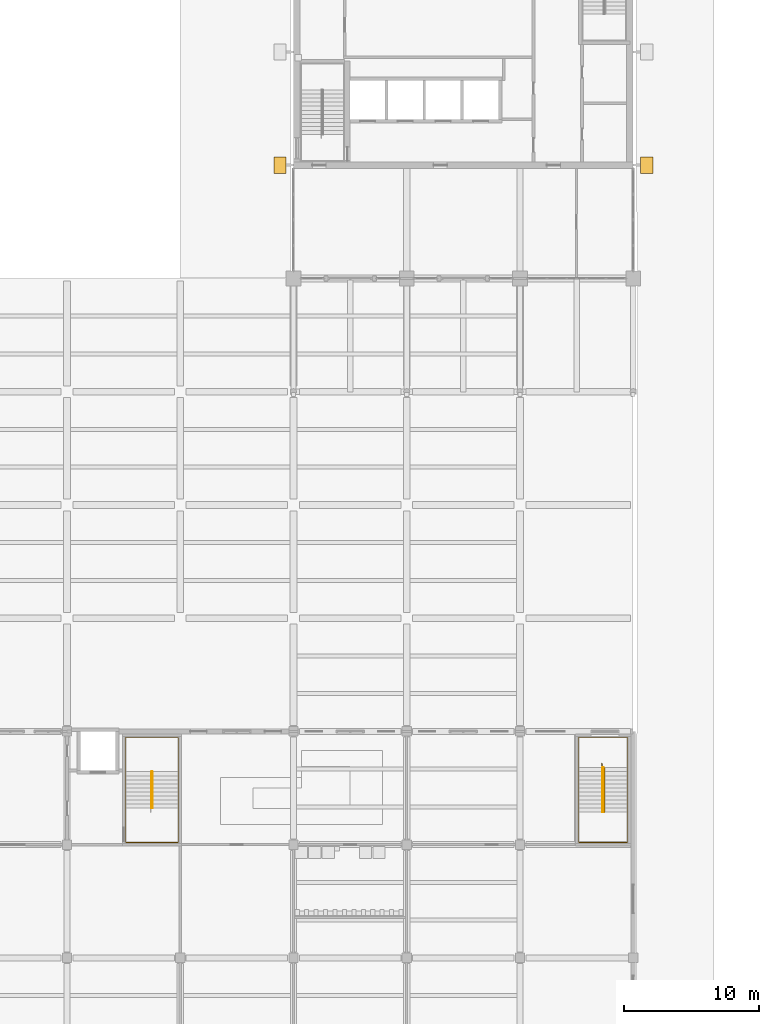
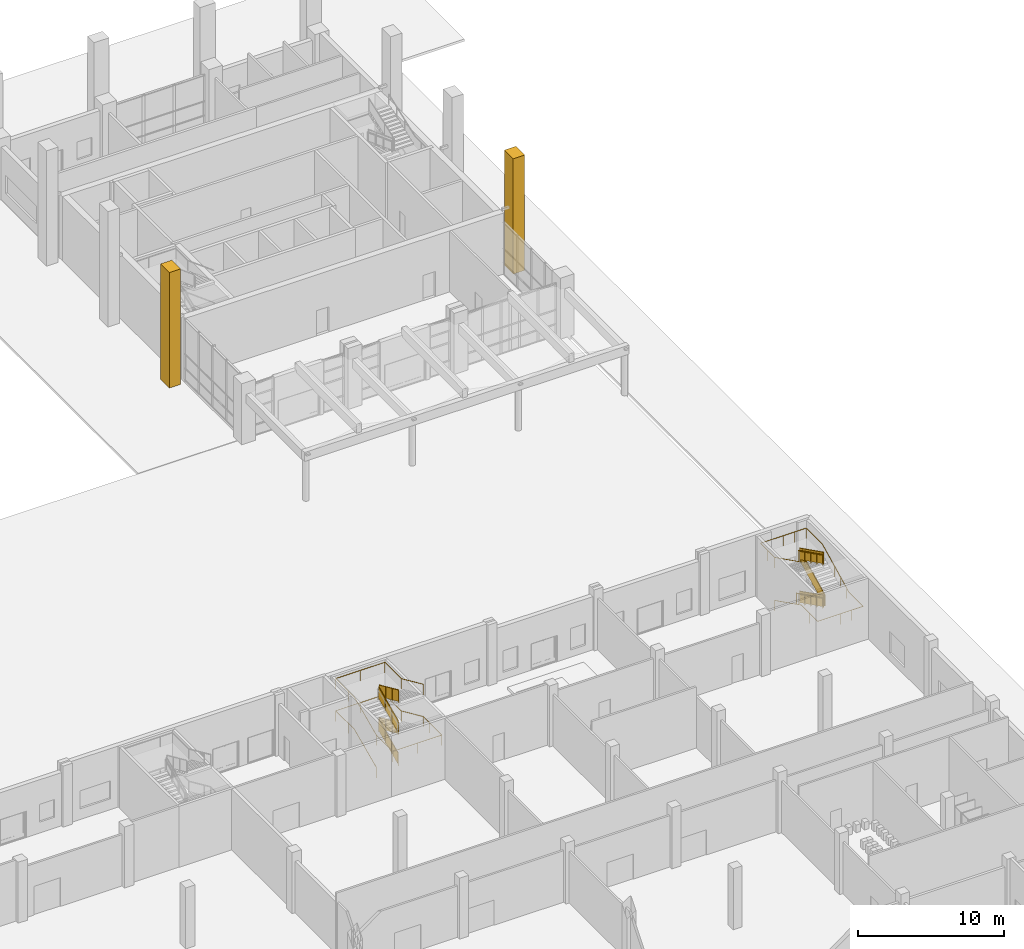
# One storey, part 67 of 74: 10 railings, 2 coverings.
"""IFC4 building model written with IfcOpenShell, lengths in metres."""

from ifc_helpers import new_model, si_unit, direction, frame, origin, origin_2d, place, context, subcontext, project, spatial, polyline, rectangle, circle, outline, extrude, material, type_object, element, save


model = new_model("IFC4")

# Units and contexts
model_context = context("Model", 3, precision=1e-05, world=origin(), true_north=direction((0.0, 1.0)))
body_context = subcontext(model_context, "Body", "Model", "MODEL_VIEW")
ifc_project = project(units=[si_unit("LENGTHUNIT", "METRE"), si_unit("AREAUNIT", "SQUARE_METRE"), si_unit("VOLUMEUNIT", "CUBIC_METRE"), si_unit("PLANEANGLEUNIT", "RADIAN"), si_unit("MASSUNIT", "GRAM", prefix="KILO")], contexts=[model_context])

# Site, building, storey
site_placement = place(None, origin())
site = spatial("IfcSite", under=ifc_project, at=site_placement, CompositionType="ELEMENT")
building_placement = place(site_placement, origin())
building = spatial("IfcBuilding", under=site, at=building_placement, Name="Rulbaag Community and Learning Centre", CompositionType="ELEMENT")
storey_placement = place(building_placement, origin())
storey = spatial("IfcBuildingStorey", under=building, at=storey_placement, Name="L00", CompositionType="ELEMENT", Elevation=0.0)

# Railings
ifc_material_1 = material(Name="Galvanised mild steel", Category="steel")
railing_type_1 = type_object("IfcRailingType", Name="GR-1100 GUARD 1100", PredefinedType="GUARDRAIL", material=ifc_material_1)
railing_1_placement = place(storey_placement, frame((132.280029296875, 44.71240234375, 0.135009765625)))
element("IfcRailing", 1, at=railing_1_placement, inside=storey, type_object=railing_type_1, Name="Guard SH3 L00 G", PredefinedType="GUARDRAIL", context=body_context, shape_type="SweptSolid", body=[
    extrude(circle(Radius=0.02490234375, at=origin_2d()), frame((0.0, 0.0, 1.0751953125), z_axis=(0.0, 0.911921505175, 0.410364677329), x_axis=(-1.0, 0.0, 0.0)), (0.0, 0.0, 1.0), 2.9609375),
    extrude(circle(Radius=0.02001953125, at=origin_2d()), origin(), (0.0, 0.0, 1.0), 1.050048828125),
    extrude(circle(Radius=0.02001953125, at=origin_2d()), frame((0.0, 0.900146484375, 0.405029296875)), (0.0, 0.0, 1.0), 1.050048828125),
    extrude(circle(Radius=0.02001953125, at=origin_2d()), frame((0.0, 1.800048828125, 0.81005859375)), (0.0, 0.0, 1.0), 1.050048828125),
    extrude(circle(Radius=0.02001953125, at=origin_2d()), frame((0.0, 2.7001953125, 1.215087890625)), (0.0, 0.0, 1.0), 1.050048828125),
    extrude(outline(polyline([(0.0, 0.0), (2.7001953125, 1.215087890625), (2.7001953125, 2.1650390625), (0.0, 0.949951171875), (0.0, 0.0)])), frame((-0.0048828125, 0.0, 0.10009765625), z_axis=(1.0, 0.0, 0.0), x_axis=(0.0, 1.0, 0.0)), (0.0, 0.0, 1.0), 0.010009765625),
])
railing_2_placement = place(storey_placement, frame((132.320068359375, 47.41259765625, 1.485107421875)))
element("IfcRailing", 2, at=railing_2_placement, inside=storey, type_object=railing_type_1, Name="Guard SH3 L00 G2", PredefinedType="GUARDRAIL", context=body_context, shape_type="SweptSolid", body=[
    extrude(circle(Radius=0.02490234375, at=origin_2d()), frame((0.0, 0.0, 1.0751953125), z_axis=(0.0, -0.91195235894, 0.410296106518), x_axis=(1.0, 0.0, 0.0)), (0.0, 0.0, 1.0), 2.9609375),
    extrude(circle(Radius=0.02001953125, at=origin_2d()), origin(), (0.0, 0.0, 1.0), 1.050048828125),
    extrude(circle(Radius=0.02001953125, at=origin_2d()), frame((0.0, -0.900146484375, 0.405029296875)), (0.0, 0.0, 1.0), 1.050048828125),
    extrude(circle(Radius=0.02001953125, at=origin_2d()), frame((0.0, -1.800048828125, 0.809814453125)), (0.0, 0.0, 1.0), 1.050048828125),
    extrude(circle(Radius=0.02001953125, at=origin_2d()), frame((0.0, -2.7001953125, 1.21484375)), (0.0, 0.0, 1.0), 1.050048828125),
    extrude(outline(polyline([(0.0, 0.0), (2.7001953125, 1.21484375), (2.7001953125, 2.164794921875), (0.0, 0.949951171875), (0.0, 0.0)])), frame((0.0048828125, 0.0, 0.10009765625), z_axis=(-1.0, 0.0, 0.0), x_axis=(0.0, -1.0, 0.0)), (0.0, 0.0, 1.0), 0.010009765625),
])
railing_3_placement = place(storey_placement, frame((132.280029296875, 44.71240234375, 2.8349609375)))
element("IfcRailing", 3, at=railing_3_placement, inside=storey, type_object=railing_type_1, Name="Guard SH3 L00 G3", PredefinedType="GUARDRAIL", context=body_context, shape_type="SweptSolid", body=[
    extrude(circle(Radius=0.02490234375, at=origin_2d()), frame((0.0, 0.0, 1.0751953125), z_axis=(0.0, 0.911921505175, 0.410364677329), x_axis=(-1.0, 0.0, 0.0)), (0.0, 0.0, 1.0), 2.9609375),
    extrude(circle(Radius=0.02001953125, at=origin_2d()), origin(), (0.0, 0.0, 1.0), 1.050048828125),
    extrude(circle(Radius=0.02001953125, at=origin_2d()), frame((0.0, 0.900146484375, 0.405029296875)), (0.0, 0.0, 1.0), 1.050048828125),
    extrude(circle(Radius=0.02001953125, at=origin_2d()), frame((0.0, 1.800048828125, 0.81005859375)), (0.0, 0.0, 1.0), 1.050048828125),
    extrude(circle(Radius=0.02001953125, at=origin_2d()), frame((0.0, 2.7001953125, 1.215087890625)), (0.0, 0.0, 1.0), 1.050048828125),
    extrude(outline(polyline([(0.0, 0.0), (2.7001953125, 1.215087890625), (2.7001953125, 2.1650390625), (0.0, 0.949951171875), (0.0, 0.0)])), frame((-0.0048828125, 0.0, 0.10009765625), z_axis=(1.0, 0.0, 0.0), x_axis=(0.0, 1.0, 0.0)), (0.0, 0.0, 1.0), 0.010009765625),
])
railing_4_placement = place(storey_placement, frame((132.320068359375, 47.41259765625, 4.18505859375)))
element("IfcRailing", 4, at=railing_4_placement, inside=storey, type_object=railing_type_1, Name="Guard SH3 L00 G4", PredefinedType="GUARDRAIL", context=body_context, shape_type="SweptSolid", body=[
    extrude(circle(Radius=0.02490234375, at=origin_2d()), frame((0.0, 0.0, 1.0751953125), z_axis=(0.0, -0.91195235894, 0.410296106518), x_axis=(1.0, 0.0, 0.0)), (0.0, 0.0, 1.0), 2.9609375),
    extrude(circle(Radius=0.02001953125, at=origin_2d()), origin(), (0.0, 0.0, 1.0), 1.050048828125),
    extrude(circle(Radius=0.02001953125, at=origin_2d()), frame((0.0, -0.900146484375, 0.405029296875)), (0.0, 0.0, 1.0), 1.050048828125),
    extrude(circle(Radius=0.02001953125, at=origin_2d()), frame((0.0, -1.800048828125, 0.809814453125)), (0.0, 0.0, 1.0), 1.050048828125),
    extrude(circle(Radius=0.02001953125, at=origin_2d()), frame((0.0, -2.7001953125, 1.21484375)), (0.0, 0.0, 1.0), 1.050048828125),
    extrude(outline(polyline([(0.0, 0.0), (2.7001953125, 1.21484375), (2.7001953125, 2.164794921875), (0.0, 0.949951171875), (0.0, 0.0)])), frame((0.0048828125, 0.0, 0.10009765625), z_axis=(-1.0, 0.0, 0.0), x_axis=(0.0, -1.0, 0.0)), (0.0, 0.0, 1.0), 0.010009765625),
])
railing_5_placement = place(storey_placement, frame((165.742431640625, 47.71240234375, 0.14990234375)))
element("IfcRailing", 5, at=railing_5_placement, inside=storey, type_object=railing_type_1, Name="Guard SH4 L00 G", PredefinedType="GUARDRAIL", context=body_context, shape_type="SweptSolid", body=[
    extrude(circle(Radius=0.02490234375, at=origin_2d()), frame((0.0, 0.0, 1.0751953125), z_axis=(0.0, -0.894400720042, 0.447266533499), x_axis=(1.0, 0.0, 0.0)), (0.0, 0.0, 1.0), 3.689453125),
    extrude(circle(Radius=0.02001953125, at=origin_2d()), origin(), (0.0, 0.0, 1.0), 1.050048828125),
    extrude(circle(Radius=0.02001953125, at=origin_2d()), frame((0.0, -0.824951171875, 0.41259765625)), (0.0, 0.0, 1.0), 1.050048828125),
    extrude(circle(Radius=0.02001953125, at=origin_2d()), frame((0.0, -1.64990234375, 0.8251953125)), (0.0, 0.0, 1.0), 1.050048828125),
    extrude(circle(Radius=0.02001953125, at=origin_2d()), frame((0.0, -2.474853515625, 1.237548828125)), (0.0, 0.0, 1.0), 1.050048828125),
    extrude(circle(Radius=0.02001953125, at=origin_2d()), frame((0.0, -3.2998046875, 1.650146484375)), (0.0, 0.0, 1.0), 1.050048828125),
    extrude(outline(polyline([(0.0, 0.0), (3.2998046875, 1.650146484375), (3.2998046875, 2.60009765625), (0.0, 0.949951171875), (0.0, 0.0)])), frame((0.0048828125, 0.0, 0.10009765625), z_axis=(-1.0, 0.0, 0.0), x_axis=(0.0, -1.0, 0.0)), (0.0, 0.0, 1.0), 0.010009765625),
])
railing_6_placement = place(storey_placement, frame((165.782470703125, 44.41259765625, 1.949951171875)))
element("IfcRailing", 6, at=railing_6_placement, inside=storey, type_object=railing_type_1, Name="Guard SH4 L00 G2", PredefinedType="GUARDRAIL", context=body_context, shape_type="SweptSolid", body=[
    extrude(circle(Radius=0.02490234375, at=origin_2d()), frame((0.0, 0.0, 1.0751953125), z_axis=(0.0, 0.894400720042, 0.447266533499), x_axis=(-1.0, 0.0, 0.0)), (0.0, 0.0, 1.0), 3.689453125),
    extrude(circle(Radius=0.02001953125, at=origin_2d()), origin(), (0.0, 0.0, 1.0), 1.050048828125),
    extrude(circle(Radius=0.02001953125, at=origin_2d()), frame((0.0, 0.824951171875, 0.41259765625)), (0.0, 0.0, 1.0), 1.050048828125),
    extrude(circle(Radius=0.02001953125, at=origin_2d()), frame((0.0, 1.64990234375, 0.8251953125)), (0.0, 0.0, 1.0), 1.050048828125),
    extrude(circle(Radius=0.02001953125, at=origin_2d()), frame((0.0, 2.474853515625, 1.237548828125)), (0.0, 0.0, 1.0), 1.050048828125),
    extrude(circle(Radius=0.02001953125, at=origin_2d()), frame((0.0, 3.2998046875, 1.650146484375)), (0.0, 0.0, 1.0), 1.050048828125),
    extrude(outline(polyline([(0.0, 0.0), (3.2998046875, 1.650146484375), (3.2998046875, 2.60009765625), (0.0, 0.949951171875), (0.0, 0.0)])), frame((-0.0048828125, 0.0, 0.10009765625), z_axis=(1.0, 0.0, 0.0), x_axis=(0.0, 1.0, 0.0)), (0.0, 0.0, 1.0), 0.010009765625),
])
railing_7_placement = place(storey_placement, frame((165.742431640625, 47.71240234375, 3.75)))
element("IfcRailing", 7, at=railing_7_placement, inside=storey, type_object=railing_type_1, Name="Guard SH4 L00 G3", PredefinedType="GUARDRAIL", context=body_context, shape_type="SweptSolid", body=[
    extrude(circle(Radius=0.02490234375, at=origin_2d()), frame((0.0, 0.0, 1.0751953125), z_axis=(0.0, -0.894427191, 0.4472135955), x_axis=(1.0, 0.0, 0.0)), (0.0, 0.0, 1.0), 3.689208984375),
    extrude(circle(Radius=0.02001953125, at=origin_2d()), origin(), (0.0, 0.0, 1.0), 1.050048828125),
    extrude(circle(Radius=0.02001953125, at=origin_2d()), frame((0.0, -0.824951171875, 0.41259765625)), (0.0, 0.0, 1.0), 1.050048828125),
    extrude(circle(Radius=0.02001953125, at=origin_2d()), frame((0.0, -1.64990234375, 0.824951171875)), (0.0, 0.0, 1.0), 1.050048828125),
    extrude(circle(Radius=0.02001953125, at=origin_2d()), frame((0.0, -2.474853515625, 1.2373046875)), (0.0, 0.0, 1.0), 1.050048828125),
    extrude(circle(Radius=0.02001953125, at=origin_2d()), frame((0.0, -3.2998046875, 1.64990234375)), (0.0, 0.0, 1.0), 1.050048828125),
    extrude(outline(polyline([(0.0, 0.0), (3.2998046875, 1.64990234375), (3.2998046875, 2.599853515625), (0.0, 0.949951171875), (0.0, 0.0)])), frame((0.0048828125, 0.0, 0.10009765625), z_axis=(-1.0, 0.0, 0.0), x_axis=(0.0, -1.0, 0.0)), (0.0, 0.0, 1.0), 0.010009765625),
])
ifc_material_2 = material(Name="Stainless steel grade 316", Category="steel")
railing_type_2 = type_object("IfcRailingType", Name="HR-900 HANDRAIL 900", PredefinedType="HANDRAIL", material=ifc_material_2)
railing_8_placement = place(storey_placement, frame((130.360107421875, 44.41259765625, 0.0)))
element("IfcRailing", 8, at=railing_8_placement, inside=storey, type_object=railing_type_2, Name="Handrail SH3 L00 O", PredefinedType="HANDRAIL", context=body_context, shape_type="SweptSolid", body=[
    extrude(circle(Radius=0.024169921875, at=origin_2d()), frame((0.0, 0.0, 0.875732421875), z_axis=(0.0, 0.911810325798, 0.41061165323), x_axis=(-1.0, 0.0, 0.0)), (0.0, 0.0, 1.0), 0.328857421875),
    extrude(circle(Radius=0.024169921875, at=origin_2d()), frame((0.0, 0.2998046875, 1.0107421875), z_axis=(0.0, 0.911921505175, 0.410364677329), x_axis=(-1.0, 0.0, 0.0)), (0.0, 0.0, 1.0), 2.9609375),
    extrude(circle(Radius=0.024169921875, at=origin_2d()), frame((0.0, 3.0, 2.225830078125), z_axis=(0.0, 1.0, 0.0), x_axis=(-1.0, 0.0, 0.0)), (0.0, 0.0, 1.0), 2.552490234375),
    extrude(circle(Radius=0.024169921875, at=origin_2d()), frame((0.0, 5.552490234375, 2.225830078125), z_axis=(1.0, 0.0, 0.0), x_axis=(0.0, 1.0, 0.0)), (0.0, 0.0, 1.0), 3.8798828125),
    extrude(circle(Radius=0.024169921875, at=origin_2d()), frame((3.8798828125, 5.552490234375, 2.225830078125), z_axis=(0.0, -1.0, 0.0), x_axis=(1.0, 0.0, 0.0)), (0.0, 0.0, 1.0), 2.252685546875),
    extrude(circle(Radius=0.024169921875, at=origin_2d()), frame((3.8798828125, 3.2998046875, 2.225830078125), z_axis=(0.0, -0.911810325798, 0.41061165323), x_axis=(1.0, 0.0, 0.0)), (0.0, 0.0, 1.0), 0.328857421875),
    extrude(circle(Radius=0.024169921875, at=origin_2d()), frame((3.8798828125, 3.0, 2.36083984375), z_axis=(0.0, -0.91195235894, 0.410296106518), x_axis=(1.0, 0.0, 0.0)), (0.0, 0.0, 1.0), 2.9609375),
    extrude(circle(Radius=0.024169921875, at=origin_2d()), frame((3.8798828125, 0.2998046875, 3.57568359375), z_axis=(0.0, -1.0, 0.0), x_axis=(1.0, 0.0, 0.0)), (0.0, 0.0, 1.0), 2.552490234375),
    extrude(circle(Radius=0.024169921875, at=origin_2d()), frame((3.8798828125, -2.252685546875, 3.57568359375), z_axis=(-1.0, 0.0, 0.0), x_axis=(0.0, -1.0, 0.0)), (0.0, 0.0, 1.0), 3.8798828125),
    extrude(circle(Radius=0.024169921875, at=origin_2d()), frame((0.0, -2.252685546875, 3.57568359375), z_axis=(0.0, 1.0, 0.0), x_axis=(-1.0, 0.0, 0.0)), (0.0, 0.0, 1.0), 2.252685546875),
    extrude(circle(Radius=0.024169921875, at=origin_2d()), frame((0.0, 0.0, 3.57568359375), z_axis=(0.0, 0.911810325798, 0.41061165323), x_axis=(-1.0, 0.0, 0.0)), (0.0, 0.0, 1.0), 0.328857421875),
    extrude(circle(Radius=0.024169921875, at=origin_2d()), frame((0.0, 0.2998046875, 3.710693359375), z_axis=(0.0, 0.911921505175, 0.410364677329), x_axis=(-1.0, 0.0, 0.0)), (0.0, 0.0, 1.0), 2.9609375),
    extrude(circle(Radius=0.024169921875, at=origin_2d()), frame((0.0, 3.0, 4.92578125), z_axis=(0.0, 1.0, 0.0), x_axis=(-1.0, 0.0, 0.0)), (0.0, 0.0, 1.0), 2.552490234375),
    extrude(circle(Radius=0.024169921875, at=origin_2d()), frame((0.0, 5.552490234375, 4.92578125), z_axis=(1.0, 0.0, 0.0), x_axis=(0.0, 1.0, 0.0)), (0.0, 0.0, 1.0), 3.8798828125),
    extrude(circle(Radius=0.024169921875, at=origin_2d()), frame((3.8798828125, 5.552490234375, 4.92578125), z_axis=(0.0, -1.0, 0.0), x_axis=(1.0, 0.0, 0.0)), (0.0, 0.0, 1.0), 2.252685546875),
    extrude(circle(Radius=0.024169921875, at=origin_2d()), frame((3.8798828125, 3.2998046875, 4.92578125), z_axis=(0.0, -0.911810325798, 0.41061165323), x_axis=(1.0, 0.0, 0.0)), (0.0, 0.0, 1.0), 0.328857421875),
    extrude(circle(Radius=0.024169921875, at=origin_2d()), frame((3.8798828125, 3.0, 5.060791015625), z_axis=(0.0, -0.91195235894, 0.410296106518), x_axis=(1.0, 0.0, 0.0)), (0.0, 0.0, 1.0), 2.9609375),
    extrude(circle(Radius=0.008056640625, at=origin_2d()), origin(), (0.0, 0.0, 1.0), 0.8515625),
    extrude(circle(Radius=0.008056640625, at=origin_2d()), frame((0.0, 0.2998046875, 0.135009765625)), (0.0, 0.0, 1.0), 0.8515625),
    extrude(circle(Radius=0.008056640625, at=origin_2d()), frame((0.0, 1.199951171875, 0.5400390625)), (0.0, 0.0, 1.0), 0.8515625),
    extrude(circle(Radius=0.008056640625, at=origin_2d()), frame((0.0, 2.099853515625, 0.945068359375)), (0.0, 0.0, 1.0), 0.8515625),
    extrude(circle(Radius=0.008056640625, at=origin_2d()), frame((0.0, 3.0, 1.35009765625)), (0.0, 0.0, 1.0), 0.8515625),
    extrude(circle(Radius=0.008056640625, at=origin_2d()), frame((0.0, 3.850830078125, 1.35009765625)), (0.0, 0.0, 1.0), 0.8515625),
    extrude(circle(Radius=0.008056640625, at=origin_2d()), frame((0.0, 4.70166015625, 1.35009765625)), (0.0, 0.0, 1.0), 0.8515625),
    extrude(circle(Radius=0.008056640625, at=origin_2d()), frame((0.0, 5.552490234375, 1.35009765625)), (0.0, 0.0, 1.0), 0.8515625),
    extrude(circle(Radius=0.008056640625, at=origin_2d()), frame((0.969970703125, 5.552490234375, 1.35009765625)), (0.0, 0.0, 1.0), 0.8515625),
    extrude(circle(Radius=0.008056640625, at=origin_2d()), frame((1.93994140625, 5.552490234375, 1.35009765625)), (0.0, 0.0, 1.0), 0.8515625),
    extrude(circle(Radius=0.008056640625, at=origin_2d()), frame((2.909912109375, 5.552490234375, 1.35009765625)), (0.0, 0.0, 1.0), 0.8515625),
    extrude(circle(Radius=0.008056640625, at=origin_2d()), frame((3.8798828125, 5.552490234375, 1.35009765625)), (0.0, 0.0, 1.0), 0.8515625),
    extrude(circle(Radius=0.008056640625, at=origin_2d()), frame((3.8798828125, 4.42626953125, 1.35009765625)), (0.0, 0.0, 1.0), 0.8515625),
    extrude(circle(Radius=0.008056640625, at=origin_2d()), frame((3.8798828125, 3.2998046875, 1.35009765625)), (0.0, 0.0, 1.0), 0.8515625),
    extrude(circle(Radius=0.008056640625, at=origin_2d()), frame((3.8798828125, 3.0, 1.485107421875)), (0.0, 0.0, 1.0), 0.8515625),
    extrude(circle(Radius=0.008056640625, at=origin_2d()), frame((3.8798828125, 2.099853515625, 1.89013671875)), (0.0, 0.0, 1.0), 0.8515625),
    extrude(circle(Radius=0.008056640625, at=origin_2d()), frame((3.8798828125, 1.199951171875, 2.294921875)), (0.0, 0.0, 1.0), 0.8515625),
    extrude(circle(Radius=0.008056640625, at=origin_2d()), frame((3.8798828125, 0.2998046875, 2.699951171875)), (0.0, 0.0, 1.0), 0.8515625),
    extrude(circle(Radius=0.008056640625, at=origin_2d()), frame((3.8798828125, -0.551025390625, 2.699951171875)), (0.0, 0.0, 1.0), 0.8515625),
    extrude(circle(Radius=0.008056640625, at=origin_2d()), frame((3.8798828125, -1.40185546875, 2.699951171875)), (0.0, 0.0, 1.0), 0.8515625),
    extrude(circle(Radius=0.008056640625, at=origin_2d()), frame((3.8798828125, -2.252685546875, 2.699951171875)), (0.0, 0.0, 1.0), 0.8515625),
    extrude(circle(Radius=0.008056640625, at=origin_2d()), frame((2.909912109375, -2.252685546875, 2.699951171875)), (0.0, 0.0, 1.0), 0.8515625),
    extrude(circle(Radius=0.008056640625, at=origin_2d()), frame((1.93994140625, -2.252685546875, 2.699951171875)), (0.0, 0.0, 1.0), 0.8515625),
    extrude(circle(Radius=0.008056640625, at=origin_2d()), frame((0.969970703125, -2.252685546875, 2.699951171875)), (0.0, 0.0, 1.0), 0.8515625),
    extrude(circle(Radius=0.008056640625, at=origin_2d()), frame((0.0, -2.252685546875, 2.699951171875)), (0.0, 0.0, 1.0), 0.8515625),
    extrude(circle(Radius=0.008056640625, at=origin_2d()), frame((0.0, -1.12646484375, 2.699951171875)), (0.0, 0.0, 1.0), 0.8515625),
    extrude(circle(Radius=0.008056640625, at=origin_2d()), frame((0.0, 0.0, 2.699951171875)), (0.0, 0.0, 1.0), 0.8515625),
    extrude(circle(Radius=0.008056640625, at=origin_2d()), frame((0.0, 0.2998046875, 2.8349609375)), (0.0, 0.0, 1.0), 0.8515625),
    extrude(circle(Radius=0.008056640625, at=origin_2d()), frame((0.0, 1.199951171875, 3.239990234375)), (0.0, 0.0, 1.0), 0.8515625),
    extrude(circle(Radius=0.008056640625, at=origin_2d()), frame((0.0, 2.099853515625, 3.64501953125)), (0.0, 0.0, 1.0), 0.8515625),
    extrude(circle(Radius=0.008056640625, at=origin_2d()), frame((0.0, 3.0, 4.050048828125)), (0.0, 0.0, 1.0), 0.8515625),
    extrude(circle(Radius=0.008056640625, at=origin_2d()), frame((0.0, 3.850830078125, 4.050048828125)), (0.0, 0.0, 1.0), 0.8515625),
    extrude(circle(Radius=0.008056640625, at=origin_2d()), frame((0.0, 4.70166015625, 4.050048828125)), (0.0, 0.0, 1.0), 0.8515625),
    extrude(circle(Radius=0.008056640625, at=origin_2d()), frame((0.0, 5.552490234375, 4.050048828125)), (0.0, 0.0, 1.0), 0.8515625),
    extrude(circle(Radius=0.008056640625, at=origin_2d()), frame((0.969970703125, 5.552490234375, 4.050048828125)), (0.0, 0.0, 1.0), 0.8515625),
    extrude(circle(Radius=0.008056640625, at=origin_2d()), frame((1.93994140625, 5.552490234375, 4.050048828125)), (0.0, 0.0, 1.0), 0.8515625),
    extrude(circle(Radius=0.008056640625, at=origin_2d()), frame((2.909912109375, 5.552490234375, 4.050048828125)), (0.0, 0.0, 1.0), 0.8515625),
    extrude(circle(Radius=0.008056640625, at=origin_2d()), frame((3.8798828125, 5.552490234375, 4.050048828125)), (0.0, 0.0, 1.0), 0.8515625),
    extrude(circle(Radius=0.008056640625, at=origin_2d()), frame((3.8798828125, 4.42626953125, 4.050048828125)), (0.0, 0.0, 1.0), 0.8515625),
    extrude(circle(Radius=0.008056640625, at=origin_2d()), frame((3.8798828125, 3.2998046875, 4.050048828125)), (0.0, 0.0, 1.0), 0.8515625),
    extrude(circle(Radius=0.008056640625, at=origin_2d()), frame((3.8798828125, 3.0, 4.18505859375)), (0.0, 0.0, 1.0), 0.8515625),
    extrude(circle(Radius=0.008056640625, at=origin_2d()), frame((3.8798828125, 2.099853515625, 4.590087890625)), (0.0, 0.0, 1.0), 0.8515625),
    extrude(circle(Radius=0.008056640625, at=origin_2d()), frame((3.8798828125, 1.199951171875, 4.994873046875)), (0.0, 0.0, 1.0), 0.8515625),
    extrude(circle(Radius=0.008056640625, at=origin_2d()), frame((3.8798828125, 0.2998046875, 5.39990234375)), (0.0, 0.0, 1.0), 0.8515625),
])
railing_9_placement = place(storey_placement, frame((163.9599609375, 48.012451171875, 0.0)))
element("IfcRailing", 9, at=railing_9_placement, inside=storey, type_object=railing_type_2, Name="Handrail SH4 L00 O", PredefinedType="HANDRAIL", context=body_context, shape_type="SweptSolid", body=[
    extrude(circle(Radius=0.024169921875, at=origin_2d()), frame((0.0, 0.0, 0.875732421875), z_axis=(0.0, -0.894572720946, 0.446922417137), x_axis=(1.0, 0.0, 0.0)), (0.0, 0.0, 1.0), 0.33544921875),
    extrude(circle(Radius=0.024169921875, at=origin_2d()), frame((0.0, -0.300048828125, 1.025634765625), z_axis=(0.0, -0.894400720042, 0.447266533499), x_axis=(1.0, 0.0, 0.0)), (0.0, 0.0, 1.0), 3.689453125),
    extrude(circle(Radius=0.024169921875, at=origin_2d()), frame((0.0, -3.599853515625, 2.67578125), z_axis=(0.0, -1.0, 0.0), x_axis=(1.0, 0.0, 0.0)), (0.0, 0.0, 1.0), 2.252685546875),
    extrude(circle(Radius=0.024169921875, at=origin_2d()), frame((0.0, -5.8525390625, 2.67578125), z_axis=(1.0, 0.0, 0.0), x_axis=(0.0, 1.0, 0.0)), (0.0, 0.0, 1.0), 3.60498046875),
    extrude(circle(Radius=0.024169921875, at=origin_2d()), frame((3.60498046875, -5.8525390625, 2.67578125), z_axis=(0.0, 1.0, 0.0), x_axis=(-1.0, 0.0, 0.0)), (0.0, 0.0, 1.0), 1.95263671875),
    extrude(circle(Radius=0.024169921875, at=origin_2d()), frame((3.60498046875, -3.89990234375, 2.67578125), z_axis=(0.0, 0.894572720946, 0.446922417137), x_axis=(-1.0, 0.0, 0.0)), (0.0, 0.0, 1.0), 0.33544921875),
    extrude(circle(Radius=0.024169921875, at=origin_2d()), frame((3.60498046875, -3.599853515625, 2.82568359375), z_axis=(0.0, 0.894400720042, 0.447266533499), x_axis=(-1.0, 0.0, 0.0)), (0.0, 0.0, 1.0), 3.689453125),
    extrude(circle(Radius=0.024169921875, at=origin_2d()), frame((3.60498046875, -0.300048828125, 4.475830078125), z_axis=(0.0, 1.0, 0.0), x_axis=(-1.0, 0.0, 0.0)), (0.0, 0.0, 1.0), 2.252685546875),
    extrude(circle(Radius=0.024169921875, at=origin_2d()), frame((3.60498046875, 1.95263671875, 4.475830078125), z_axis=(-1.0, 0.0, 0.0), x_axis=(0.0, -1.0, 0.0)), (0.0, 0.0, 1.0), 3.60498046875),
    extrude(circle(Radius=0.024169921875, at=origin_2d()), frame((0.0, 1.95263671875, 4.475830078125), z_axis=(0.0, -1.0, 0.0), x_axis=(1.0, 0.0, 0.0)), (0.0, 0.0, 1.0), 1.95263671875),
    extrude(circle(Radius=0.024169921875, at=origin_2d()), frame((0.0, 0.0, 4.475830078125), z_axis=(0.0, -0.894572720946, 0.446922417137), x_axis=(1.0, 0.0, 0.0)), (0.0, 0.0, 1.0), 0.33544921875),
    extrude(circle(Radius=0.024169921875, at=origin_2d()), frame((0.0, -0.300048828125, 4.625732421875), z_axis=(0.0, -0.894427191, 0.4472135955), x_axis=(1.0, 0.0, 0.0)), (0.0, 0.0, 1.0), 3.689208984375),
    extrude(circle(Radius=0.008056640625, at=origin_2d()), origin(), (0.0, 0.0, 1.0), 0.8515625),
    extrude(circle(Radius=0.008056640625, at=origin_2d()), frame((0.0, -0.300048828125, 0.14990234375)), (0.0, 0.0, 1.0), 0.8515625),
    extrude(circle(Radius=0.008056640625, at=origin_2d()), frame((0.0, -1.125, 0.5625)), (0.0, 0.0, 1.0), 0.8515625),
    extrude(circle(Radius=0.008056640625, at=origin_2d()), frame((0.0, -1.949951171875, 0.97509765625)), (0.0, 0.0, 1.0), 0.8515625),
    extrude(circle(Radius=0.008056640625, at=origin_2d()), frame((0.0, -2.77490234375, 1.387451171875)), (0.0, 0.0, 1.0), 0.8515625),
    extrude(circle(Radius=0.008056640625, at=origin_2d()), frame((0.0, -3.599853515625, 1.800048828125)), (0.0, 0.0, 1.0), 0.8515625),
    extrude(circle(Radius=0.008056640625, at=origin_2d()), frame((0.0, -4.72607421875, 1.800048828125)), (0.0, 0.0, 1.0), 0.8515625),
    extrude(circle(Radius=0.008056640625, at=origin_2d()), frame((0.0, -5.8525390625, 1.800048828125)), (0.0, 0.0, 1.0), 0.8515625),
    extrude(circle(Radius=0.008056640625, at=origin_2d()), frame((0.9013671875, -5.8525390625, 1.800048828125)), (0.0, 0.0, 1.0), 0.8515625),
    extrude(circle(Radius=0.008056640625, at=origin_2d()), frame((1.802490234375, -5.8525390625, 1.800048828125)), (0.0, 0.0, 1.0), 0.8515625),
    extrude(circle(Radius=0.008056640625, at=origin_2d()), frame((2.70361328125, -5.8525390625, 1.800048828125)), (0.0, 0.0, 1.0), 0.8515625),
    extrude(circle(Radius=0.008056640625, at=origin_2d()), frame((3.60498046875, -5.8525390625, 1.800048828125)), (0.0, 0.0, 1.0), 0.8515625),
    extrude(circle(Radius=0.008056640625, at=origin_2d()), frame((3.60498046875, -4.876220703125, 1.800048828125)), (0.0, 0.0, 1.0), 0.8515625),
    extrude(circle(Radius=0.008056640625, at=origin_2d()), frame((3.60498046875, -3.89990234375, 1.800048828125)), (0.0, 0.0, 1.0), 0.8515625),
    extrude(circle(Radius=0.008056640625, at=origin_2d()), frame((3.60498046875, -3.599853515625, 1.949951171875)), (0.0, 0.0, 1.0), 0.8515625),
    extrude(circle(Radius=0.008056640625, at=origin_2d()), frame((3.60498046875, -2.77490234375, 2.362548828125)), (0.0, 0.0, 1.0), 0.8515625),
    extrude(circle(Radius=0.008056640625, at=origin_2d()), frame((3.60498046875, -1.949951171875, 2.77490234375)), (0.0, 0.0, 1.0), 0.8515625),
    extrude(circle(Radius=0.008056640625, at=origin_2d()), frame((3.60498046875, -1.125, 3.1875)), (0.0, 0.0, 1.0), 0.8515625),
    extrude(circle(Radius=0.008056640625, at=origin_2d()), frame((3.60498046875, -0.300048828125, 3.60009765625)), (0.0, 0.0, 1.0), 0.8515625),
    extrude(circle(Radius=0.008056640625, at=origin_2d()), frame((3.60498046875, 0.826171875, 3.60009765625)), (0.0, 0.0, 1.0), 0.8515625),
    extrude(circle(Radius=0.008056640625, at=origin_2d()), frame((3.60498046875, 1.95263671875, 3.60009765625)), (0.0, 0.0, 1.0), 0.8515625),
    extrude(circle(Radius=0.008056640625, at=origin_2d()), frame((2.70361328125, 1.95263671875, 3.60009765625)), (0.0, 0.0, 1.0), 0.8515625),
    extrude(circle(Radius=0.008056640625, at=origin_2d()), frame((1.802490234375, 1.95263671875, 3.60009765625)), (0.0, 0.0, 1.0), 0.8515625),
    extrude(circle(Radius=0.008056640625, at=origin_2d()), frame((0.9013671875, 1.95263671875, 3.60009765625)), (0.0, 0.0, 1.0), 0.8515625),
    extrude(circle(Radius=0.008056640625, at=origin_2d()), frame((0.0, 1.95263671875, 3.60009765625)), (0.0, 0.0, 1.0), 0.8515625),
    extrude(circle(Radius=0.008056640625, at=origin_2d()), frame((0.0, 0.976318359375, 3.60009765625)), (0.0, 0.0, 1.0), 0.8515625),
    extrude(circle(Radius=0.008056640625, at=origin_2d()), frame((0.0, 0.0, 3.60009765625)), (0.0, 0.0, 1.0), 0.8515625),
    extrude(circle(Radius=0.008056640625, at=origin_2d()), frame((0.0, -0.300048828125, 3.75)), (0.0, 0.0, 1.0), 0.8515625),
    extrude(circle(Radius=0.008056640625, at=origin_2d()), frame((0.0, -1.125, 4.16259765625)), (0.0, 0.0, 1.0), 0.8515625),
    extrude(circle(Radius=0.008056640625, at=origin_2d()), frame((0.0, -1.949951171875, 4.574951171875)), (0.0, 0.0, 1.0), 0.8515625),
    extrude(circle(Radius=0.008056640625, at=origin_2d()), frame((0.0, -2.77490234375, 4.9873046875)), (0.0, 0.0, 1.0), 0.8515625),
    extrude(circle(Radius=0.008056640625, at=origin_2d()), frame((0.0, -3.599853515625, 5.39990234375)), (0.0, 0.0, 1.0), 0.8515625),
])
railing_10_placement = place(storey_placement, frame((165.672607421875, 48.012451171875, 0.0)))
element("IfcRailing", 10, at=railing_10_placement, inside=storey, type_object=railing_type_2, Name="Handrail SH4 L00 I", PredefinedType="HANDRAIL", context=body_context, shape_type="SweptSolid", body=[
    extrude(circle(Radius=0.024169921875, at=origin_2d()), frame((0.0, 0.0, 0.875732421875), z_axis=(0.0, -0.894572720946, 0.446922417137), x_axis=(1.0, 0.0, 0.0)), (0.0, 0.0, 1.0), 0.33544921875),
    extrude(circle(Radius=0.024169921875, at=origin_2d()), frame((0.0, -0.300048828125, 1.025634765625), z_axis=(0.0, -0.894400720042, 0.447266533499), x_axis=(1.0, 0.0, 0.0)), (0.0, 0.0, 1.0), 3.689453125),
    extrude(circle(Radius=0.024169921875, at=origin_2d()), frame((0.0, -3.599853515625, 2.67578125), z_axis=(0.768306721819, 0.0, 0.640081855084), x_axis=(0.0, 1.0, 0.0)), (0.0, 0.0, 1.0), 0.234130859375),
    extrude(circle(Radius=0.024169921875, at=origin_2d()), frame((0.179931640625, -3.599853515625, 2.82568359375), z_axis=(0.0, 0.894400720042, 0.447266533499), x_axis=(-1.0, 0.0, 0.0)), (0.0, 0.0, 1.0), 3.689453125),
    extrude(circle(Radius=0.024169921875, at=origin_2d()), frame((0.179931640625, -0.300048828125, 4.475830078125), z_axis=(-0.768306721819, 0.0, 0.640081855084), x_axis=(0.0, -1.0, 0.0)), (0.0, 0.0, 1.0), 0.234130859375),
    extrude(circle(Radius=0.024169921875, at=origin_2d()), frame((0.0, -0.300048828125, 4.625732421875), z_axis=(0.0, -0.894427191, 0.4472135955), x_axis=(1.0, 0.0, 0.0)), (0.0, 0.0, 1.0), 3.689208984375),
    extrude(circle(Radius=0.008056640625, at=origin_2d()), origin(), (0.0, 0.0, 1.0), 0.8515625),
    extrude(circle(Radius=0.008056640625, at=origin_2d()), frame((0.0, -0.300048828125, 0.14990234375)), (0.0, 0.0, 1.0), 0.8515625),
    extrude(circle(Radius=0.008056640625, at=origin_2d()), frame((0.0, -1.125, 0.5625)), (0.0, 0.0, 1.0), 0.8515625),
    extrude(circle(Radius=0.008056640625, at=origin_2d()), frame((0.0, -1.949951171875, 0.97509765625)), (0.0, 0.0, 1.0), 0.8515625),
    extrude(circle(Radius=0.008056640625, at=origin_2d()), frame((0.0, -2.77490234375, 1.387451171875)), (0.0, 0.0, 1.0), 0.8515625),
    extrude(circle(Radius=0.008056640625, at=origin_2d()), frame((0.0, -3.599853515625, 1.800048828125)), (0.0, 0.0, 1.0), 0.8515625),
    extrude(circle(Radius=0.008056640625, at=origin_2d()), frame((0.179931640625, -3.599853515625, 1.949951171875)), (0.0, 0.0, 1.0), 0.8515625),
    extrude(circle(Radius=0.008056640625, at=origin_2d()), frame((0.179931640625, -2.77490234375, 2.362548828125)), (0.0, 0.0, 1.0), 0.8515625),
    extrude(circle(Radius=0.008056640625, at=origin_2d()), frame((0.179931640625, -1.949951171875, 2.77490234375)), (0.0, 0.0, 1.0), 0.8515625),
    extrude(circle(Radius=0.008056640625, at=origin_2d()), frame((0.179931640625, -1.125, 3.1875)), (0.0, 0.0, 1.0), 0.8515625),
    extrude(circle(Radius=0.008056640625, at=origin_2d()), frame((0.179931640625, -0.300048828125, 3.60009765625)), (0.0, 0.0, 1.0), 0.8515625),
    extrude(circle(Radius=0.008056640625, at=origin_2d()), frame((0.0, -0.300048828125, 3.75)), (0.0, 0.0, 1.0), 0.8515625),
    extrude(circle(Radius=0.008056640625, at=origin_2d()), frame((0.0, -1.125, 4.16259765625)), (0.0, 0.0, 1.0), 0.8515625),
    extrude(circle(Radius=0.008056640625, at=origin_2d()), frame((0.0, -1.949951171875, 4.574951171875)), (0.0, 0.0, 1.0), 0.8515625),
    extrude(circle(Radius=0.008056640625, at=origin_2d()), frame((0.0, -2.77490234375, 4.9873046875)), (0.0, 0.0, 1.0), 0.8515625),
    extrude(circle(Radius=0.008056640625, at=origin_2d()), frame((0.0, -3.599853515625, 5.39990234375)), (0.0, 0.0, 1.0), 0.8515625),
])

# Coverings
ifc_material_3 = material(Name="Concrete M40", Category="concrete")
covering_type = type_object("IfcCoveringType", Name="PR-1", PredefinedType="CLADDING", material=ifc_material_3)
for number, where, z_axis, x_axis, name in (
    (11, (141.800048828125, 92.39990234375, 0.0), (0.0, 0.0, 1.0), (1.0, 0.0, 0.0), "Base pier"),
    (12, (169.0, 92.39990234375, 0.0), (0.0, 0.0, 1.0), (1.0, 0.0, 0.0), "Base pier"),
):
    element("IfcCovering", number, at=place(storey_placement, frame(where, z_axis=z_axis, x_axis=x_axis)), inside=storey, type_object=covering_type, Name=name, PredefinedType="CLADDING", context=body_context, shape_type="SweptSolid", body=[
        extrude(rectangle(XDim=0.89990234375, YDim=1.199951171875, at=origin_2d()), origin(), (0.0, 0.0, 1.0), 9.64990234375),
    ])

save(model, "model.ifc")
